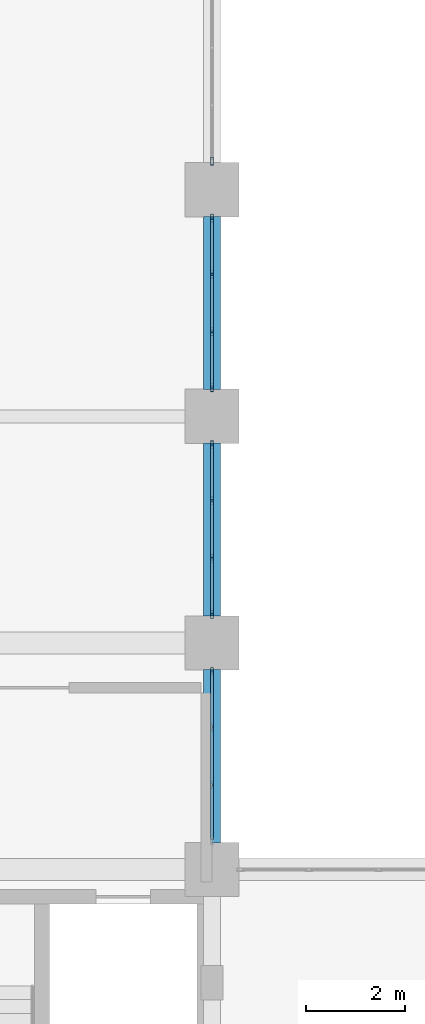
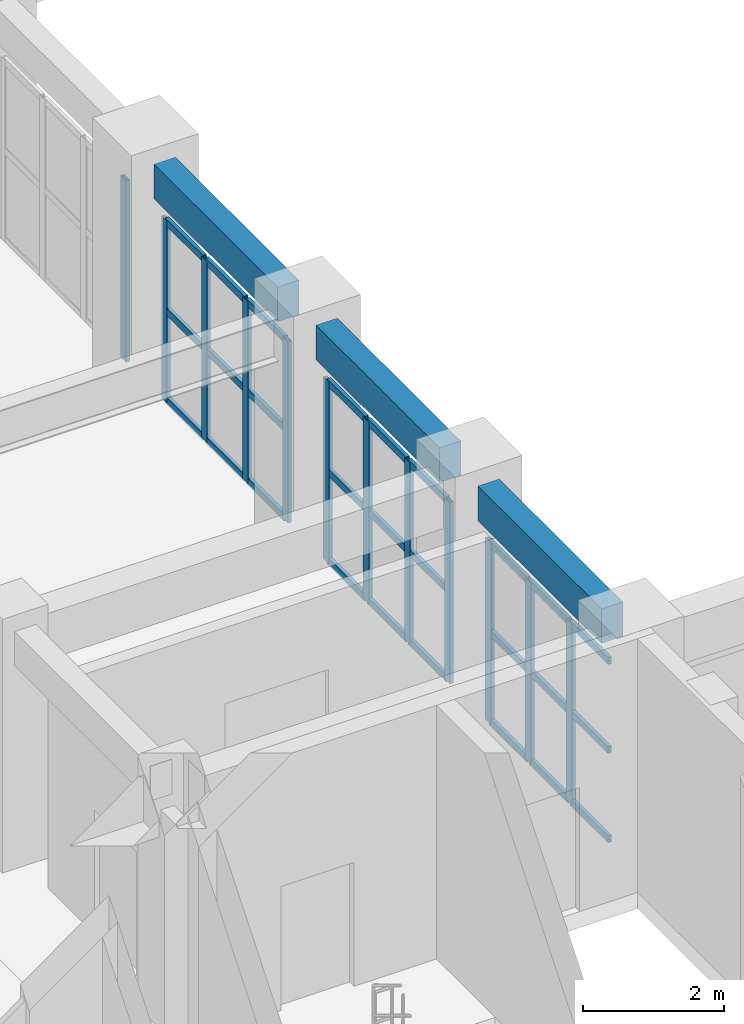
# One storey, part 40 of 90: 39 members, 3 beams, 4 elements without a shape of their own.
"""IFC4 building model written with IfcOpenShell, lengths in metres."""

from ifc_helpers import new_model, si_unit, direction, frame, origin, origin_2d, place, context, subcontext, project, spatial, rectangle, hollow_rectangle, extrude, material, layer, layer_set, material_profile, profile_set, type_object, element, aggregate, save


model = new_model("IFC4")

# Units and contexts
model_context = context("Model", 3, precision=1e-05, world=origin(), true_north=direction((0.0, 1.0)))
body_context = subcontext(model_context, "Body", "Model", "MODEL_VIEW")
ifc_project = project(units=[si_unit("LENGTHUNIT", "METRE"), si_unit("AREAUNIT", "SQUARE_METRE"), si_unit("VOLUMEUNIT", "CUBIC_METRE"), si_unit("PLANEANGLEUNIT", "RADIAN"), si_unit("MASSUNIT", "GRAM", prefix="KILO")], contexts=[model_context])

# Site, building, storey
site_placement = place(None, origin())
site = spatial("IfcSite", under=ifc_project, at=site_placement, CompositionType="ELEMENT")
building_placement = place(site_placement, origin())
building = spatial("IfcBuilding", under=site, at=building_placement, Name="Muzn Square Opera House", CompositionType="ELEMENT")
storey_placement = place(building_placement, frame((0.0, 0.0, 9.800048828125)))
storey = spatial("IfcBuildingStorey", under=building, at=storey_placement, Name="L02", CompositionType="ELEMENT", Elevation=9.800048828125)

# Curtain wall, members
ifc_material_1 = material(Name="Low-E laminated acoustic double glazing", Category="glass")
ifc_layer = layer(ifc_material_1, 0.159912109375, Name="Low-E laminated acoustic double glazing", Category="glass")
ifc_layer_set = layer_set([ifc_layer], Name="Low-E laminated acoustic double glazing")
curtain_wall_type = type_object("IfcCurtainWallType", Name="Glazed Curtain Wall EastVaultCourt 3500x3150", PredefinedType="USERDEFINED", material=ifc_layer_set)
curtain_wall_1_placement = place(storey_placement, origin())
curtain_wall_1 = element("IfcCurtainWall", 1, at=curtain_wall_1_placement, inside=storey, type_object=curtain_wall_type, Name="Glazed Curtain Wall CW-L02-050", ObjectType="GLAZED CURTAIN WALL", PredefinedType="USERDEFINED")
ifc_material_2 = material(Name="Anodised bronze aluminium 6063-T6", Category="metal")
ifc_material_profile_1 = material_profile(ifc_material_2, hollow_rectangle(XDim=0.06005859375, YDim=0.159912109375, WallThickness=0.00390625, at=origin_2d()), Name="ALU 160x60x4", Category="metal")
ifc_profile_set_1 = profile_set([ifc_material_profile_1], Name="Anodised bronze aluminium 6063-T6")
member_type_1 = type_object("IfcMemberType", Name="Curtain Wall Mullion 160x60", PredefinedType="MULLION", material=ifc_profile_set_1)
member_1_placement = place(storey_placement, frame((133.0, 32.916748046875, 0.0), z_axis=(0.0, 0.0, 1.0), x_axis=(-1.0, 0.0, 0.0)))
member_1 = element("IfcMember", 2, at=member_1_placement, type_object=member_type_1, Name="CW-EVC-35x31 mullion 2", PredefinedType="MULLION", context=body_context, shape_type="SweptSolid", body=[
    extrude(hollow_rectangle(XDim=0.06005859375, YDim=0.159912109375, WallThickness=0.00390625, at=origin_2d()), origin(), (0.0, 0.0, 1.0), 3.14990234375),
])
member_2_placement = place(storey_placement, frame((133.0, 34.083251953125, 0.0), z_axis=(0.0, 0.0, 1.0), x_axis=(-1.0, 0.0, 0.0)))
member_2 = element("IfcMember", 3, at=member_2_placement, type_object=member_type_1, Name="CW-EVC-35x31 mullion 3", PredefinedType="MULLION", context=body_context, shape_type="SweptSolid", body=[
    extrude(hollow_rectangle(XDim=0.06005859375, YDim=0.159912109375, WallThickness=0.00390625, at=origin_2d()), origin(), (0.0, 0.0, 1.0), 3.14990234375),
])
member_3_placement = place(storey_placement, frame((133.0, 35.219970703125, 0.0), z_axis=(0.0, 0.0, 1.0), x_axis=(-1.0, 0.0, 0.0)))
member_3 = element("IfcMember", 4, at=member_3_placement, type_object=member_type_1, Name="CW-EVC-35x31 mullion 4", PredefinedType="MULLION", context=body_context, shape_type="SweptSolid", body=[
    extrude(hollow_rectangle(XDim=0.06005859375, YDim=0.159912109375, WallThickness=0.00390625, at=origin_2d()), origin(), (0.0, 0.0, 1.0), 3.14990234375),
])

curtain_wall_2_placement = place(storey_placement, origin())
curtain_wall_2 = element("IfcCurtainWall", 5, at=curtain_wall_2_placement, inside=storey, type_object=curtain_wall_type, Name="Glazed Curtain Wall CW-L02-052", ObjectType="GLAZED CURTAIN WALL", PredefinedType="USERDEFINED")
member_4_placement = place(storey_placement, frame((133.0, 36.3798828125, 0.0), z_axis=(0.0, 0.0, 1.0), x_axis=(-1.0, 0.0, 0.0)))
member_4 = element("IfcMember", 6, at=member_4_placement, type_object=member_type_1, Name="CW-EVC-35x31 mullion 1", PredefinedType="MULLION", context=body_context, shape_type="SweptSolid", body=[
    extrude(hollow_rectangle(XDim=0.06005859375, YDim=0.159912109375, WallThickness=0.00390625, at=origin_2d()), origin(), (0.0, 0.0, 1.0), 3.14990234375),
])
member_5_placement = place(storey_placement, frame((133.0, 37.5166015625, 0.0), z_axis=(0.0, 0.0, 1.0), x_axis=(-1.0, 0.0, 0.0)))
member_5 = element("IfcMember", 7, at=member_5_placement, type_object=member_type_1, Name="CW-EVC-35x31 mullion 2", PredefinedType="MULLION", context=body_context, shape_type="SweptSolid", body=[
    extrude(hollow_rectangle(XDim=0.06005859375, YDim=0.159912109375, WallThickness=0.00390625, at=origin_2d()), origin(), (0.0, 0.0, 1.0), 3.14990234375),
])
member_6_placement = place(storey_placement, frame((133.0, 38.683349609375, 0.0), z_axis=(0.0, 0.0, 1.0), x_axis=(-1.0, 0.0, 0.0)))
member_6 = element("IfcMember", 8, at=member_6_placement, type_object=member_type_1, Name="CW-EVC-35x31 mullion 3", PredefinedType="MULLION", context=body_context, shape_type="SweptSolid", body=[
    extrude(hollow_rectangle(XDim=0.06005859375, YDim=0.159912109375, WallThickness=0.00390625, at=origin_2d()), origin(), (0.0, 0.0, 1.0), 3.14990234375),
])
member_7_placement = place(storey_placement, frame((133.0, 39.820068359375, 0.0), z_axis=(0.0, 0.0, 1.0), x_axis=(-1.0, 0.0, 0.0)))
member_7 = element("IfcMember", 9, at=member_7_placement, type_object=member_type_1, Name="CW-EVC-35x31 mullion 4", PredefinedType="MULLION", context=body_context, shape_type="SweptSolid", body=[
    extrude(hollow_rectangle(XDim=0.06005859375, YDim=0.159912109375, WallThickness=0.00390625, at=origin_2d()), origin(), (0.0, 0.0, 1.0), 3.14990234375),
])

curtain_wall_3_placement = place(storey_placement, origin())
curtain_wall_3 = element("IfcCurtainWall", 10, at=curtain_wall_3_placement, inside=storey, type_object=curtain_wall_type, Name="Glazed Curtain Wall CW-L02-054", ObjectType="GLAZED CURTAIN WALL", PredefinedType="USERDEFINED")
member_8_placement = place(storey_placement, frame((133.0, 40.97998046875, 0.0), z_axis=(0.0, 0.0, 1.0), x_axis=(-1.0, 0.0, 0.0)))
member_8 = element("IfcMember", 11, at=member_8_placement, type_object=member_type_1, Name="CW-EVC-35x31 mullion 1", PredefinedType="MULLION", context=body_context, shape_type="SweptSolid", body=[
    extrude(hollow_rectangle(XDim=0.06005859375, YDim=0.159912109375, WallThickness=0.00390625, at=origin_2d()), origin(), (0.0, 0.0, 1.0), 3.14990234375),
])
member_9_placement = place(storey_placement, frame((133.0, 42.11669921875, 0.0), z_axis=(0.0, 0.0, 1.0), x_axis=(-1.0, 0.0, 0.0)))
member_9 = element("IfcMember", 12, at=member_9_placement, type_object=member_type_1, Name="CW-EVC-35x31 mullion 2", PredefinedType="MULLION", context=body_context, shape_type="SweptSolid", body=[
    extrude(hollow_rectangle(XDim=0.06005859375, YDim=0.159912109375, WallThickness=0.00390625, at=origin_2d()), origin(), (0.0, 0.0, 1.0), 3.14990234375),
])
member_10_placement = place(storey_placement, frame((133.0, 43.283447265625, 0.0), z_axis=(0.0, 0.0, 1.0), x_axis=(-1.0, 0.0, 0.0)))
member_10 = element("IfcMember", 13, at=member_10_placement, type_object=member_type_1, Name="CW-EVC-35x31 mullion 3", PredefinedType="MULLION", context=body_context, shape_type="SweptSolid", body=[
    extrude(hollow_rectangle(XDim=0.06005859375, YDim=0.159912109375, WallThickness=0.00390625, at=origin_2d()), origin(), (0.0, 0.0, 1.0), 3.14990234375),
])
member_11_placement = place(storey_placement, frame((133.0, 44.419921875, 0.0), z_axis=(0.0, 0.0, 1.0), x_axis=(-1.0, 0.0, 0.0)))
member_11 = element("IfcMember", 14, at=member_11_placement, type_object=member_type_1, Name="CW-EVC-35x31 mullion 4", PredefinedType="MULLION", context=body_context, shape_type="SweptSolid", body=[
    extrude(hollow_rectangle(XDim=0.06005859375, YDim=0.159912109375, WallThickness=0.00390625, at=origin_2d()), origin(), (0.0, 0.0, 1.0), 3.14990234375),
])

# Curtain wall, member
curtain_wall_4_placement = place(storey_placement, origin())
curtain_wall_4 = element("IfcCurtainWall", 15, at=curtain_wall_4_placement, inside=storey, type_object=curtain_wall_type, Name="Glazed Curtain Wall CW-L02-056", ObjectType="GLAZED CURTAIN WALL", PredefinedType="USERDEFINED")
member_12_placement = place(storey_placement, frame((133.0, 45.580078125, 0.0), z_axis=(0.0, 0.0, 1.0), x_axis=(-1.0, 0.0, 0.0)))
member_12 = element("IfcMember", 16, at=member_12_placement, type_object=member_type_1, Name="CW-EVC-35x31 mullion 1", PredefinedType="MULLION", context=body_context, shape_type="SweptSolid", body=[
    extrude(hollow_rectangle(XDim=0.06005859375, YDim=0.159912109375, WallThickness=0.00390625, at=origin_2d()), origin(), (0.0, 0.0, 1.0), 3.14990234375),
])
aggregate(curtain_wall_4, [member_12])

# Member
ifc_material_profile_2 = material_profile(ifc_material_2, hollow_rectangle(XDim=0.06005859375, YDim=0.1201171875, WallThickness=0.00390625, at=origin_2d()), Name="ALU 120x60x4", Category="metal")
ifc_profile_set_2 = profile_set([ifc_material_profile_2], Name="Anodised bronze aluminium 6063-T6")
member_type_2 = type_object("IfcMemberType", Name="Curtain Wall Transom 120x60", PredefinedType="USERDEFINED", material=ifc_profile_set_2)
member_13_placement = place(storey_placement, frame((133.0, 31.81005859375, 0.030029296875), z_axis=(0.0, 1.0, 0.0), x_axis=(-1.0, 0.0, 0.0)))
member_13 = element("IfcMember", 17, at=member_13_placement, type_object=member_type_2, Name="CW-EVC-35x31 transom 1.1", ObjectType="TRANSOM", PredefinedType="USERDEFINED", context=body_context, shape_type="SweptSolid", body=[
    extrude(hollow_rectangle(XDim=0.06005859375, YDim=0.1201171875, WallThickness=0.00390625, at=origin_2d()), origin(), (0.0, 0.0, 1.0), 1.07666015625),
])

member_14_placement = place(storey_placement, frame((133.0, 31.81005859375, 1.574951171875), z_axis=(0.0, 1.0, 0.0), x_axis=(-1.0, 0.0, 0.0)))
member_14 = element("IfcMember", 18, at=member_14_placement, type_object=member_type_2, Name="CW-EVC-35x31 transom 1.2", ObjectType="TRANSOM", PredefinedType="USERDEFINED", context=body_context, shape_type="SweptSolid", body=[
    extrude(hollow_rectangle(XDim=0.06005859375, YDim=0.1201171875, WallThickness=0.00390625, at=origin_2d()), origin(), (0.0, 0.0, 1.0), 1.07666015625),
])

member_15_placement = place(storey_placement, frame((133.0, 31.81005859375, 3.119873046875), z_axis=(0.0, 1.0, 0.0), x_axis=(-1.0, 0.0, 0.0)))
member_15 = element("IfcMember", 19, at=member_15_placement, type_object=member_type_2, Name="CW-EVC-35x31 transom 1.3", ObjectType="TRANSOM", PredefinedType="USERDEFINED", context=body_context, shape_type="SweptSolid", body=[
    extrude(hollow_rectangle(XDim=0.06005859375, YDim=0.1201171875, WallThickness=0.00390625, at=origin_2d()), origin(), (0.0, 0.0, 1.0), 1.07666015625),
])

member_16_placement = place(storey_placement, frame((133.0, 32.94677734375, 0.030029296875), z_axis=(0.0, 1.0, 0.0), x_axis=(-1.0, 0.0, 0.0)))
member_16 = element("IfcMember", 20, at=member_16_placement, type_object=member_type_2, Name="CW-EVC-35x31 transom 2.1", ObjectType="TRANSOM", PredefinedType="USERDEFINED", context=body_context, shape_type="SweptSolid", body=[
    extrude(hollow_rectangle(XDim=0.06005859375, YDim=0.1201171875, WallThickness=0.00390625, at=origin_2d()), origin(), (0.0, 0.0, 1.0), 1.1064453125),
])

member_17_placement = place(storey_placement, frame((133.0, 32.94677734375, 1.574951171875), z_axis=(0.0, 1.0, 0.0), x_axis=(-1.0, 0.0, 0.0)))
member_17 = element("IfcMember", 21, at=member_17_placement, type_object=member_type_2, Name="CW-EVC-35x31 transom 2.2", ObjectType="TRANSOM", PredefinedType="USERDEFINED", context=body_context, shape_type="SweptSolid", body=[
    extrude(hollow_rectangle(XDim=0.06005859375, YDim=0.1201171875, WallThickness=0.00390625, at=origin_2d()), origin(), (0.0, 0.0, 1.0), 1.1064453125),
])

member_18_placement = place(storey_placement, frame((133.0, 32.94677734375, 3.119873046875), z_axis=(0.0, 1.0, 0.0), x_axis=(-1.0, 0.0, 0.0)))
member_18 = element("IfcMember", 22, at=member_18_placement, type_object=member_type_2, Name="CW-EVC-35x31 transom 2.3", ObjectType="TRANSOM", PredefinedType="USERDEFINED", context=body_context, shape_type="SweptSolid", body=[
    extrude(hollow_rectangle(XDim=0.06005859375, YDim=0.1201171875, WallThickness=0.00390625, at=origin_2d()), origin(), (0.0, 0.0, 1.0), 1.1064453125),
])

member_19_placement = place(storey_placement, frame((133.0, 34.11328125, 0.030029296875), z_axis=(0.0, 1.0, 0.0), x_axis=(-1.0, 0.0, 0.0)))
member_19 = element("IfcMember", 23, at=member_19_placement, type_object=member_type_2, Name="CW-EVC-35x31 transom 3.1", ObjectType="TRANSOM", PredefinedType="USERDEFINED", context=body_context, shape_type="SweptSolid", body=[
    extrude(hollow_rectangle(XDim=0.06005859375, YDim=0.1201171875, WallThickness=0.00390625, at=origin_2d()), origin(), (0.0, 0.0, 1.0), 1.07666015625),
])

member_20_placement = place(storey_placement, frame((133.0, 34.11328125, 1.574951171875), z_axis=(0.0, 1.0, 0.0), x_axis=(-1.0, 0.0, 0.0)))
member_20 = element("IfcMember", 24, at=member_20_placement, type_object=member_type_2, Name="CW-EVC-35x31 transom 3.2", ObjectType="TRANSOM", PredefinedType="USERDEFINED", context=body_context, shape_type="SweptSolid", body=[
    extrude(hollow_rectangle(XDim=0.06005859375, YDim=0.1201171875, WallThickness=0.00390625, at=origin_2d()), origin(), (0.0, 0.0, 1.0), 1.07666015625),
])

member_21_placement = place(storey_placement, frame((133.0, 34.11328125, 3.119873046875), z_axis=(0.0, 1.0, 0.0), x_axis=(-1.0, 0.0, 0.0)))
member_21 = element("IfcMember", 25, at=member_21_placement, type_object=member_type_2, Name="CW-EVC-35x31 transom 3.3", ObjectType="TRANSOM", PredefinedType="USERDEFINED", context=body_context, shape_type="SweptSolid", body=[
    extrude(hollow_rectangle(XDim=0.06005859375, YDim=0.1201171875, WallThickness=0.00390625, at=origin_2d()), origin(), (0.0, 0.0, 1.0), 1.07666015625),
])

aggregate(curtain_wall_1, [member_1, member_2, member_3, member_13, member_14, member_15, member_16, member_17, member_18, member_19, member_20, member_21])

member_22_placement = place(storey_placement, frame((133.0, 36.409912109375, 0.030029296875), z_axis=(0.0, 1.0, 0.0), x_axis=(-1.0, 0.0, 0.0)))
member_22 = element("IfcMember", 26, at=member_22_placement, type_object=member_type_2, Name="CW-EVC-35x31 transom 1.1", ObjectType="TRANSOM", PredefinedType="USERDEFINED", context=body_context, shape_type="SweptSolid", body=[
    extrude(hollow_rectangle(XDim=0.06005859375, YDim=0.1201171875, WallThickness=0.00390625, at=origin_2d()), origin(), (0.0, 0.0, 1.0), 1.07666015625),
])

member_23_placement = place(storey_placement, frame((133.0, 36.409912109375, 1.574951171875), z_axis=(0.0, 1.0, 0.0), x_axis=(-1.0, 0.0, 0.0)))
member_23 = element("IfcMember", 27, at=member_23_placement, type_object=member_type_2, Name="CW-EVC-35x31 transom 1.2", ObjectType="TRANSOM", PredefinedType="USERDEFINED", context=body_context, shape_type="SweptSolid", body=[
    extrude(hollow_rectangle(XDim=0.06005859375, YDim=0.1201171875, WallThickness=0.00390625, at=origin_2d()), origin(), (0.0, 0.0, 1.0), 1.07666015625),
])

member_24_placement = place(storey_placement, frame((133.0, 36.409912109375, 3.119873046875), z_axis=(0.0, 1.0, 0.0), x_axis=(-1.0, 0.0, 0.0)))
member_24 = element("IfcMember", 28, at=member_24_placement, type_object=member_type_2, Name="CW-EVC-35x31 transom 1.3", ObjectType="TRANSOM", PredefinedType="USERDEFINED", context=body_context, shape_type="SweptSolid", body=[
    extrude(hollow_rectangle(XDim=0.06005859375, YDim=0.1201171875, WallThickness=0.00390625, at=origin_2d()), origin(), (0.0, 0.0, 1.0), 1.07666015625),
])

member_25_placement = place(storey_placement, frame((133.0, 37.546630859375, 0.030029296875), z_axis=(0.0, 1.0, 0.0), x_axis=(-1.0, 0.0, 0.0)))
member_25 = element("IfcMember", 29, at=member_25_placement, type_object=member_type_2, Name="CW-EVC-35x31 transom 2.1", ObjectType="TRANSOM", PredefinedType="USERDEFINED", context=body_context, shape_type="SweptSolid", body=[
    extrude(hollow_rectangle(XDim=0.06005859375, YDim=0.1201171875, WallThickness=0.00390625, at=origin_2d()), origin(), (0.0, 0.0, 1.0), 1.106689453125),
])

member_26_placement = place(storey_placement, frame((133.0, 37.546630859375, 1.574951171875), z_axis=(0.0, 1.0, 0.0), x_axis=(-1.0, 0.0, 0.0)))
member_26 = element("IfcMember", 30, at=member_26_placement, type_object=member_type_2, Name="CW-EVC-35x31 transom 2.2", ObjectType="TRANSOM", PredefinedType="USERDEFINED", context=body_context, shape_type="SweptSolid", body=[
    extrude(hollow_rectangle(XDim=0.06005859375, YDim=0.1201171875, WallThickness=0.00390625, at=origin_2d()), origin(), (0.0, 0.0, 1.0), 1.106689453125),
])

member_27_placement = place(storey_placement, frame((133.0, 37.546630859375, 3.119873046875), z_axis=(0.0, 1.0, 0.0), x_axis=(-1.0, 0.0, 0.0)))
member_27 = element("IfcMember", 31, at=member_27_placement, type_object=member_type_2, Name="CW-EVC-35x31 transom 2.3", ObjectType="TRANSOM", PredefinedType="USERDEFINED", context=body_context, shape_type="SweptSolid", body=[
    extrude(hollow_rectangle(XDim=0.06005859375, YDim=0.1201171875, WallThickness=0.00390625, at=origin_2d()), origin(), (0.0, 0.0, 1.0), 1.106689453125),
])

member_28_placement = place(storey_placement, frame((133.0, 38.71337890625, 0.030029296875), z_axis=(0.0, 1.0, 0.0), x_axis=(-1.0, 0.0, 0.0)))
member_28 = element("IfcMember", 32, at=member_28_placement, type_object=member_type_2, Name="CW-EVC-35x31 transom 3.1", ObjectType="TRANSOM", PredefinedType="USERDEFINED", context=body_context, shape_type="SweptSolid", body=[
    extrude(hollow_rectangle(XDim=0.06005859375, YDim=0.1201171875, WallThickness=0.00390625, at=origin_2d()), origin(), (0.0, 0.0, 1.0), 1.07666015625),
])

member_29_placement = place(storey_placement, frame((133.0, 38.71337890625, 1.574951171875), z_axis=(0.0, 1.0, 0.0), x_axis=(-1.0, 0.0, 0.0)))
member_29 = element("IfcMember", 33, at=member_29_placement, type_object=member_type_2, Name="CW-EVC-35x31 transom 3.2", ObjectType="TRANSOM", PredefinedType="USERDEFINED", context=body_context, shape_type="SweptSolid", body=[
    extrude(hollow_rectangle(XDim=0.06005859375, YDim=0.1201171875, WallThickness=0.00390625, at=origin_2d()), origin(), (0.0, 0.0, 1.0), 1.07666015625),
])

member_30_placement = place(storey_placement, frame((133.0, 38.71337890625, 3.119873046875), z_axis=(0.0, 1.0, 0.0), x_axis=(-1.0, 0.0, 0.0)))
member_30 = element("IfcMember", 34, at=member_30_placement, type_object=member_type_2, Name="CW-EVC-35x31 transom 3.3", ObjectType="TRANSOM", PredefinedType="USERDEFINED", context=body_context, shape_type="SweptSolid", body=[
    extrude(hollow_rectangle(XDim=0.06005859375, YDim=0.1201171875, WallThickness=0.00390625, at=origin_2d()), origin(), (0.0, 0.0, 1.0), 1.07666015625),
])

aggregate(curtain_wall_2, [member_4, member_5, member_6, member_7, member_22, member_23, member_24, member_25, member_26, member_27, member_28, member_29, member_30])

member_31_placement = place(storey_placement, frame((133.0, 41.010009765625, 0.030029296875), z_axis=(0.0, 1.0, 0.0), x_axis=(-1.0, 0.0, 0.0)))
member_31 = element("IfcMember", 35, at=member_31_placement, type_object=member_type_2, Name="CW-EVC-35x31 transom 1.1", ObjectType="TRANSOM", PredefinedType="USERDEFINED", context=body_context, shape_type="SweptSolid", body=[
    extrude(hollow_rectangle(XDim=0.06005859375, YDim=0.1201171875, WallThickness=0.00390625, at=origin_2d()), origin(), (0.0, 0.0, 1.0), 1.07666015625),
])

member_32_placement = place(storey_placement, frame((133.0, 41.010009765625, 1.574951171875), z_axis=(0.0, 1.0, 0.0), x_axis=(-1.0, 0.0, 0.0)))
member_32 = element("IfcMember", 36, at=member_32_placement, type_object=member_type_2, Name="CW-EVC-35x31 transom 1.2", ObjectType="TRANSOM", PredefinedType="USERDEFINED", context=body_context, shape_type="SweptSolid", body=[
    extrude(hollow_rectangle(XDim=0.06005859375, YDim=0.1201171875, WallThickness=0.00390625, at=origin_2d()), origin(), (0.0, 0.0, 1.0), 1.07666015625),
])

member_33_placement = place(storey_placement, frame((133.0, 41.010009765625, 3.119873046875), z_axis=(0.0, 1.0, 0.0), x_axis=(-1.0, 0.0, 0.0)))
member_33 = element("IfcMember", 37, at=member_33_placement, type_object=member_type_2, Name="CW-EVC-35x31 transom 1.3", ObjectType="TRANSOM", PredefinedType="USERDEFINED", context=body_context, shape_type="SweptSolid", body=[
    extrude(hollow_rectangle(XDim=0.06005859375, YDim=0.1201171875, WallThickness=0.00390625, at=origin_2d()), origin(), (0.0, 0.0, 1.0), 1.07666015625),
])

member_34_placement = place(storey_placement, frame((133.0, 42.146728515625, 0.030029296875), z_axis=(0.0, 1.0, 0.0), x_axis=(-1.0, 0.0, 0.0)))
member_34 = element("IfcMember", 38, at=member_34_placement, type_object=member_type_2, Name="CW-EVC-35x31 transom 2.1", ObjectType="TRANSOM", PredefinedType="USERDEFINED", context=body_context, shape_type="SweptSolid", body=[
    extrude(hollow_rectangle(XDim=0.06005859375, YDim=0.1201171875, WallThickness=0.00390625, at=origin_2d()), origin(), (0.0, 0.0, 1.0), 1.106689453125),
])

member_35_placement = place(storey_placement, frame((133.0, 42.146728515625, 1.574951171875), z_axis=(0.0, 1.0, 0.0), x_axis=(-1.0, 0.0, 0.0)))
member_35 = element("IfcMember", 39, at=member_35_placement, type_object=member_type_2, Name="CW-EVC-35x31 transom 2.2", ObjectType="TRANSOM", PredefinedType="USERDEFINED", context=body_context, shape_type="SweptSolid", body=[
    extrude(hollow_rectangle(XDim=0.06005859375, YDim=0.1201171875, WallThickness=0.00390625, at=origin_2d()), origin(), (0.0, 0.0, 1.0), 1.106689453125),
])

member_36_placement = place(storey_placement, frame((133.0, 42.146728515625, 3.119873046875), z_axis=(0.0, 1.0, 0.0), x_axis=(-1.0, 0.0, 0.0)))
member_36 = element("IfcMember", 40, at=member_36_placement, type_object=member_type_2, Name="CW-EVC-35x31 transom 2.3", ObjectType="TRANSOM", PredefinedType="USERDEFINED", context=body_context, shape_type="SweptSolid", body=[
    extrude(hollow_rectangle(XDim=0.06005859375, YDim=0.1201171875, WallThickness=0.00390625, at=origin_2d()), origin(), (0.0, 0.0, 1.0), 1.106689453125),
])

member_37_placement = place(storey_placement, frame((133.0, 43.313232421875, 0.030029296875), z_axis=(0.0, 1.0, 0.0), x_axis=(-1.0, 0.0, 0.0)))
member_37 = element("IfcMember", 41, at=member_37_placement, type_object=member_type_2, Name="CW-EVC-35x31 transom 3.1", ObjectType="TRANSOM", PredefinedType="USERDEFINED", context=body_context, shape_type="SweptSolid", body=[
    extrude(hollow_rectangle(XDim=0.06005859375, YDim=0.1201171875, WallThickness=0.00390625, at=origin_2d()), origin(), (0.0, 0.0, 1.0), 1.07666015625),
])

member_38_placement = place(storey_placement, frame((133.0, 43.313232421875, 1.574951171875), z_axis=(0.0, 1.0, 0.0), x_axis=(-1.0, 0.0, 0.0)))
member_38 = element("IfcMember", 42, at=member_38_placement, type_object=member_type_2, Name="CW-EVC-35x31 transom 3.2", ObjectType="TRANSOM", PredefinedType="USERDEFINED", context=body_context, shape_type="SweptSolid", body=[
    extrude(hollow_rectangle(XDim=0.06005859375, YDim=0.1201171875, WallThickness=0.00390625, at=origin_2d()), origin(), (0.0, 0.0, 1.0), 1.07666015625),
])

member_39_placement = place(storey_placement, frame((133.0, 43.313232421875, 3.119873046875), z_axis=(0.0, 1.0, 0.0), x_axis=(-1.0, 0.0, 0.0)))
member_39 = element("IfcMember", 43, at=member_39_placement, type_object=member_type_2, Name="CW-EVC-35x31 transom 3.3", ObjectType="TRANSOM", PredefinedType="USERDEFINED", context=body_context, shape_type="SweptSolid", body=[
    extrude(hollow_rectangle(XDim=0.06005859375, YDim=0.1201171875, WallThickness=0.00390625, at=origin_2d()), origin(), (0.0, 0.0, 1.0), 1.07666015625),
])

aggregate(curtain_wall_3, [member_8, member_9, member_10, member_11, member_31, member_32, member_33, member_34, member_35, member_36, member_37, member_38, member_39])

# Beams
ifc_material_3 = material(Name="Concrete C40/50", Category="concrete")
ifc_material_profile_3 = material_profile(ifc_material_3, rectangle(XDim=0.35009765625, YDim=0.60009765625, at=origin_2d()), Name="RCB 350x600", Category="concrete")
ifc_profile_set_3 = profile_set([ifc_material_profile_3], Name="Concrete C40/50")
beam_type = type_object("IfcBeamType", Name="Primary Girder 350x600", PredefinedType="BEAM", material=ifc_profile_set_3)
beam_1_placement = place(storey_placement, frame((133.0, 31.741943359375, 3.820068359375), z_axis=(0.0, 1.0, 0.0), x_axis=(-1.0, 0.0, 0.0)))
element("IfcBeam", 44, at=beam_1_placement, inside=storey, type_object=beam_type, Name="Primary Girder BM-L02-BM-PG600-1330_317_1330_353-2248", PredefinedType="BEAM", context=body_context, shape_type="SweptSolid", body=[
    extrude(rectangle(XDim=0.35009765625, YDim=0.60009765625, at=origin_2d()), origin(), (0.0, 0.0, 1.0), 3.51611328125),
])
beam_2_placement = place(storey_placement, frame((133.0, 36.342041015625, 3.820068359375), z_axis=(0.0, 1.0, 0.0), x_axis=(-1.0, 0.0, 0.0)))
element("IfcBeam", 45, at=beam_2_placement, inside=storey, type_object=beam_type, Name="Primary Girder BM-L02-BM-PG600-1330_363_1330_399-2249", PredefinedType="BEAM", context=body_context, shape_type="SweptSolid", body=[
    extrude(rectangle(XDim=0.35009765625, YDim=0.60009765625, at=origin_2d()), origin(), (0.0, 0.0, 1.0), 3.515869140625),
])
beam_3_placement = place(storey_placement, frame((133.0, 40.94189453125, 3.820068359375), z_axis=(0.0, 1.0, 0.0), x_axis=(-1.0, 0.0, 0.0)))
element("IfcBeam", 46, at=beam_3_placement, inside=storey, type_object=beam_type, Name="Primary Girder BM-L02-BM-PG600-1330_409_1330_445-2250", PredefinedType="BEAM", context=body_context, shape_type="SweptSolid", body=[
    extrude(rectangle(XDim=0.35009765625, YDim=0.60009765625, at=origin_2d()), origin(), (0.0, 0.0, 1.0), 3.51611328125),
])

save(model, "model.ifc")
